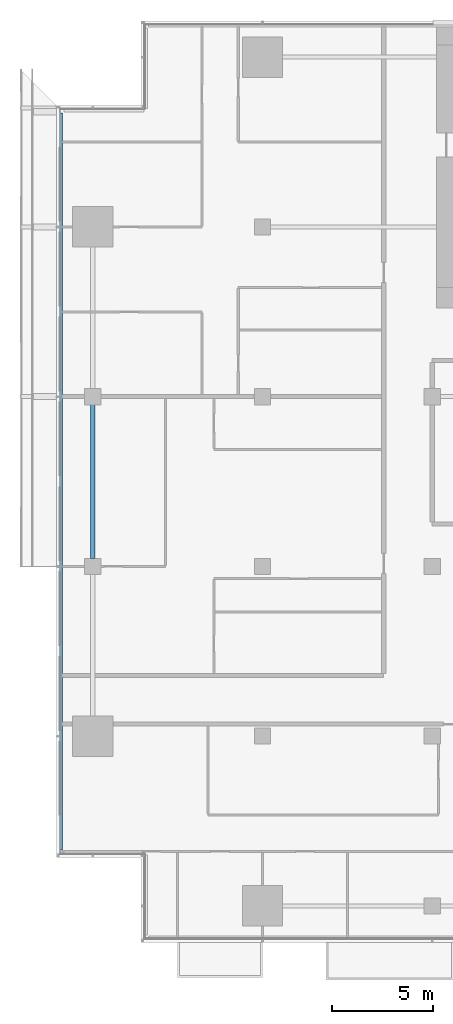
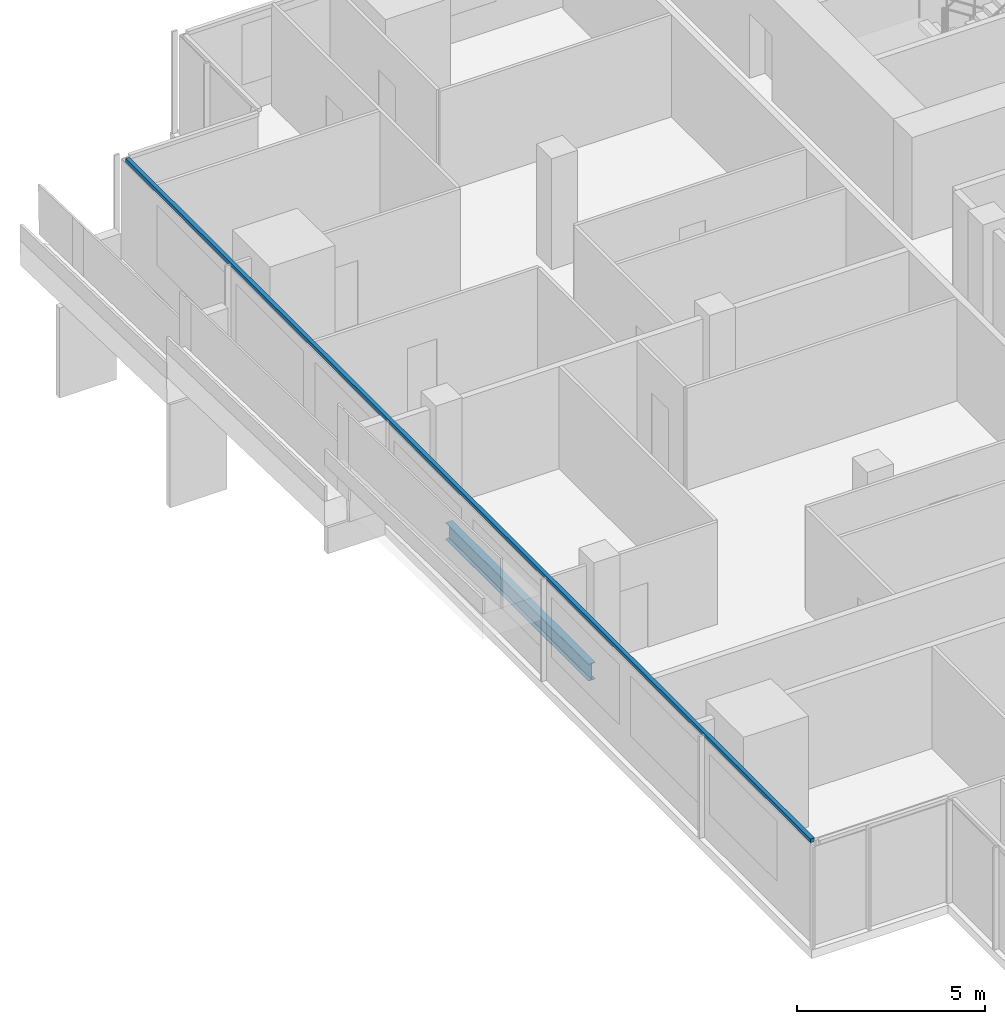
# One storey, part 3 of 27: 1 beam, 1 member, 1 element without a shape of its own.
"""IFC4 building model written with IfcOpenShell, lengths in metres."""

import ifcopenshell
import ifcopenshell.guid

model = None  # the IFC model being written
_history = None  # IfcOwnerHistory: only IFC2X3 demands one
_inside = {}  # id of a spatial element -> (the spatial element, [elements in it])
_under = {}  # id of a project, library or spatial element -> (it, [spatial elements below it])
_declared = {}  # id of a project -> (the project, [libraries it declares])
_typed = {}  # id of a type object -> (the type object, [elements of that type])
_made_of = {}  # id of a material, layer set ... -> (it, [elements and type objects made of it])


def new_model(schema):
    """Start an empty IFC model of exactly this schema.

    Asked for "IFC4X3", IfcOpenShell would pick the latest addendum, in which some entities
    have other attributes; the version numbers below select the first issue.
    IFC2X3 requires an IfcOwnerHistory on every rooted entity: one is made here for all.
    """
    global model, _history
    if schema == "IFC4X3":
        model = ifcopenshell.file(schema_version=(4, 3, 0, 0))
    else:
        model = ifcopenshell.file(schema=schema)
    _inside.clear()
    _under.clear()
    _declared.clear()
    _typed.clear()
    _made_of.clear()
    _history = None
    if model.schema == "IFC2X3":
        org = make("IfcOrganization", Name="unknown")
        user = make(
            "IfcPersonAndOrganization",
            ThePerson=make("IfcPerson", FamilyName="unknown"),
            TheOrganization=org,
        )
        app = make(
            "IfcApplication",
            ApplicationDeveloper=org,
            Version="unknown",
            ApplicationFullName="unknown",
            ApplicationIdentifier="unknown",
        )
        _history = make(
            "IfcOwnerHistory",
            OwningUser=user,
            OwningApplication=app,
            ChangeAction="ADDED",
            CreationDate=0,
        )
    return model


def make(cls, **values):
    """One entity of the class cls with the attributes given. An attribute that is None is left unset."""
    return model.create_entity(
        cls, **{name: value for name, value in values.items() if value is not None}
    )


def rooted(cls, **values):
    """An entity with a GlobalId (a new one), such as an element, a storey or a relation."""
    return make(cls, GlobalId=ifcopenshell.guid.new(), OwnerHistory=_history, **values)


def si_unit(unit_type, name, prefix=None):
    """IfcSIUnit, for example si_unit("LENGTHUNIT", "METRE", prefix="MILLI")."""
    return make("IfcSIUnit", UnitType=unit_type, Prefix=prefix, Name=name)


def assignment(units):
    """IfcUnitAssignment: the units of a project."""
    return None if units is None else make("IfcUnitAssignment", Units=units)


def point(xyz):
    """IfcCartesianPoint."""
    return None if xyz is None else make("IfcCartesianPoint", Coordinates=xyz)


def direction(xyz):
    """IfcDirection."""
    return None if xyz is None else make("IfcDirection", DirectionRatios=xyz)


def frame(location, z_axis=None, x_axis=None):
    """IfcAxis2Placement3D, a coordinate frame: its origin and axes. An axis left out is left unset."""
    return make(
        "IfcAxis2Placement3D",
        Location=point(location),
        Axis=direction(z_axis),
        RefDirection=direction(x_axis),
    )


def frame_2d(location, x_axis=None):
    """IfcAxis2Placement2D, a coordinate frame in the plane: its origin and x axis."""
    return make(
        "IfcAxis2Placement2D", Location=point(location), RefDirection=direction(x_axis)
    )


def origin():
    """The frame at (0, 0, 0) with its axes left unset."""
    return frame((0.0, 0.0, 0.0))


def origin_2d():
    """The frame at (0, 0) in the plane with its x axis left unset."""
    return frame_2d((0.0, 0.0))


def place(relative_to, where):
    """IfcLocalPlacement: puts the frame where relative to a parent placement (None: the world)."""
    return make(
        "IfcLocalPlacement", PlacementRelTo=relative_to, RelativePlacement=where
    )


def context(
    kind, dimensions, precision=None, world=None, true_north=None, identifier=None
):
    """IfcGeometricRepresentationContext, for example the 3D "Model" context."""
    return make(
        "IfcGeometricRepresentationContext",
        ContextIdentifier=identifier,
        ContextType=kind,
        CoordinateSpaceDimension=dimensions,
        Precision=precision,
        WorldCoordinateSystem=world,
        TrueNorth=true_north,
    )


def subcontext(parent, identifier, kind, view, scale=None):
    """IfcGeometricRepresentationSubContext, for example "Body" below "Model"."""
    return make(
        "IfcGeometricRepresentationSubContext",
        ContextIdentifier=identifier,
        ContextType=kind,
        ParentContext=parent,
        TargetScale=scale,
        TargetView=view,
    )


def project(units=None, contexts=None):
    """IfcProject with its units and contexts."""
    return rooted(
        "IfcProject",
        Name="project",
        RepresentationContexts=contexts,
        UnitsInContext=assignment(units),
    )


def spatial(cls, under=None, at=None, **own):
    """A site, building, storey or space (cls), placed at a placement, below another one or the project."""
    s = rooted(cls, ObjectPlacement=at, **own)
    if under is not None:
        _under.setdefault(under.id(), (under, []))[1].append(s)
    return s


def profile(cls, at=None, kind="AREA", **sizes):
    """A parametric profile (cls). Its sizes go by their IFC names, for example OverallWidth=200.0."""
    return make(cls, ProfileType=kind, Position=at, **sizes)


def rectangle(**sizes):
    """IfcRectangleProfileDef."""
    return profile("IfcRectangleProfileDef", **sizes)


def i_section(**sizes):
    """IfcIShapeProfileDef."""
    return profile("IfcIShapeProfileDef", **sizes)


def extrude(swept, where, along, depth):
    """IfcExtrudedAreaSolid: the profile swept, set in the frame where, extruded along a direction by depth."""
    return make(
        "IfcExtrudedAreaSolid",
        SweptArea=swept,
        Position=where,
        ExtrudedDirection=direction(along),
        Depth=depth,
    )


def shape(context_of_items, identifier, shape_type, items):
    """IfcShapeRepresentation: the items that make up one representation, for example the "Body"."""
    return make(
        "IfcShapeRepresentation",
        ContextOfItems=context_of_items,
        RepresentationIdentifier=identifier,
        RepresentationType=shape_type,
        Items=items,
    )


def material(Name=None, Category=None):
    """IfcMaterial."""
    return make("IfcMaterial", Name=Name, Category=Category)


def material_profile(
    of_material, cross_section, Name=None, Category=None, Priority=None
):
    """IfcMaterialProfile: a cross section and its material."""
    return make(
        "IfcMaterialProfile",
        Name=Name,
        Material=of_material,
        Profile=cross_section,
        Priority=Priority,
        Category=Category,
    )


def profile_set(profiles, Name=None, composite=None):
    """IfcMaterialProfileSet."""
    return make(
        "IfcMaterialProfileSet",
        Name=Name,
        MaterialProfiles=profiles,
        CompositeProfile=composite,
    )


def made_of(thing, what):
    """Note that an element or type object is made of a material, layer set ...; save() writes the relation."""
    if what is not None:
        _made_of.setdefault(what.id(), (what, []))[1].append(thing)
    return thing


def type_object(cls, material=None, **own):
    """A type object (cls), such as IfcWallType, which elements share."""
    return made_of(rooted(cls, **own), material)


def element(
    cls,
    number,
    at=None,
    inside=None,
    cuts=None,
    type_object=None,
    material=None,
    context=None,
    identifier="Body",
    shape_type=None,
    held_by="IfcProductDefinitionShape",
    body=None,
    shapes=None,
    **own,
):
    """One element of the class cls, such as IfcWall. Its Tag is "e" and its number.

    at: its placement. inside: the storey or other place that contains it. cuts: it is an
    opening in that element (IfcRelVoidsElement). A single representation is given by context,
    identifier, shape_type and body (its items); several are given by shapes. held_by: the class
    of the entity that holds the representations. save() writes the other relations.
    """
    e = rooted(cls, Tag="e%d" % number, ObjectPlacement=at, **own)
    if body is not None:
        shapes = [shape(context, identifier, shape_type, body)]
    if shapes is not None:
        e.Representation = make(held_by, Representations=shapes)
    if inside is not None:
        _inside.setdefault(inside.id(), (inside, []))[1].append(e)
    if cuts is not None:
        rooted(
            "IfcRelVoidsElement", RelatingBuildingElement=cuts, RelatedOpeningElement=e
        )
    if type_object is not None:
        _typed.setdefault(type_object.id(), (type_object, []))[1].append(e)
    return made_of(e, material)


def aggregate(whole, parts):
    """IfcRelAggregates: a whole, such as a stair, and the parts it consists of."""
    return rooted("IfcRelAggregates", RelatingObject=whole, RelatedObjects=parts)


def save(model, path):
    """Write the relations noted so far, then the file.

    IfcRelAggregates (storeys below a building ...), IfcRelContainedInSpatialStructure (elements
    in a storey), IfcRelDefinesByType, IfcRelAssociatesMaterial and IfcRelDeclares: one each for
    every whole, place, type object, material and project.
    """
    for whole, parts in _under.values():
        aggregate(whole, parts)
    for where, things in _inside.values():
        rooted(
            "IfcRelContainedInSpatialStructure",
            RelatedElements=things,
            RelatingStructure=where,
        )
    for kind, things in _typed.values():
        rooted("IfcRelDefinesByType", RelatedObjects=things, RelatingType=kind)
    for what, things in _made_of.values():
        rooted("IfcRelAssociatesMaterial", RelatedObjects=things, RelatingMaterial=what)
    for by, libraries in _declared.values():
        rooted("IfcRelDeclares", RelatingContext=by, RelatedDefinitions=libraries)
    model.write(path)


model = new_model("IFC4")

# Units and contexts
model_context = context("Model", 3, precision=1e-05, world=origin(), true_north=direction((0.0, 1.0)))
body_context = subcontext(model_context, "Body", "Model", "MODEL_VIEW")
ifc_project = project(units=[si_unit("LENGTHUNIT", "METRE"), si_unit("AREAUNIT", "SQUARE_METRE"), si_unit("VOLUMEUNIT", "CUBIC_METRE"), si_unit("PLANEANGLEUNIT", "RADIAN"), si_unit("MASSUNIT", "GRAM", prefix="KILO")], contexts=[model_context])

# Site, building, storey
site_placement = place(None, origin())
site = spatial("IfcSite", under=ifc_project, at=site_placement, CompositionType="ELEMENT")
building_placement = place(site_placement, origin())
building = spatial("IfcBuilding", under=site, at=building_placement, Name="Saffron Gate Tower", CompositionType="ELEMENT")
storey_placement = place(building_placement, frame((0.0, 0.0, 109.64990234375)))
storey = spatial("IfcBuildingStorey", under=building, at=storey_placement, Name="L25", CompositionType="ELEMENT", Elevation=109.64990234375)

# Beam
ifc_material_1 = material(Name="Structural steel S355", Category="steel")
ifc_material_profile_1 = material_profile(ifc_material_1, i_section(OverallWidth=0.2099609375, OverallDepth=0.550048828125, WebThickness=0.010986328125, FlangeThickness=0.01708984375, FilletRadius=0.02392578125, at=origin_2d()))
ifc_profile_set_1 = profile_set([ifc_material_profile_1], Name="Structural steel S355")
beam_type = type_object("IfcBeamType", Name="B13 IPE 550", PredefinedType="SPANDREL", material=ifc_profile_set_1)
beam_placement = place(storey_placement, frame((49.800048828125, 49.0, -0.554931640625), z_axis=(0.0, 1.0, 0.0), x_axis=(-1.0, 0.0, 0.0)))
element("IfcBeam", 1, at=beam_placement, inside=storey, type_object=beam_type, Name="B13 SPANDREL BEAM", PredefinedType="SPANDREL", context=body_context, shape_type="SweptSolid", body=[
    extrude(i_section(OverallWidth=0.2099609375, OverallDepth=0.550048828125, WebThickness=0.010986328125, FlangeThickness=0.01708984375, FilletRadius=0.02392578125, at=origin_2d()), origin(), (0.0, 0.0, 1.0), 7.60009765625),
])

# Curtain wall, member
ifc_material_2 = material(Name="Aluminium, bronze anodised", Category="aluminium")
curtain_wall_type = type_object("IfcCurtainWallType", Name="CWS2 curtain wall side facades", PredefinedType="NOTDEFINED", material=ifc_material_2)
curtain_wall_placement = place(storey_placement, origin())
curtain_wall = element("IfcCurtainWall", 2, at=curtain_wall_placement, inside=storey, type_object=curtain_wall_type, Name="CWS2 run 10", PredefinedType="NOTDEFINED")
ifc_material_profile_2 = material_profile(ifc_material_2, rectangle(XDim=0.1201171875, YDim=0.1201171875, at=origin_2d()))
ifc_profile_set_2 = profile_set([ifc_material_profile_2], Name="Aluminium, bronze anodised")
member_type = type_object("IfcMemberType", Name="CWS2 head transom", PredefinedType="USERDEFINED", material=ifc_profile_set_2)
member_placement = place(storey_placement, frame((48.248046875, 71.031982421875, 3.260009765625), z_axis=(0.0, -1.0, 0.0), x_axis=(1.0, 0.0, 0.0)))
member = element("IfcMember", 3, at=member_placement, type_object=member_type, Name="CWS2 head transom", ObjectType="TRANSOM", PredefinedType="USERDEFINED", context=body_context, shape_type="SweptSolid", body=[
    extrude(rectangle(XDim=0.1201171875, YDim=0.1201171875, at=origin_2d()), origin(), (0.0, 0.0, 1.0), 36.4638671875),
])
aggregate(curtain_wall, [member])

save(model, "model.ifc")
